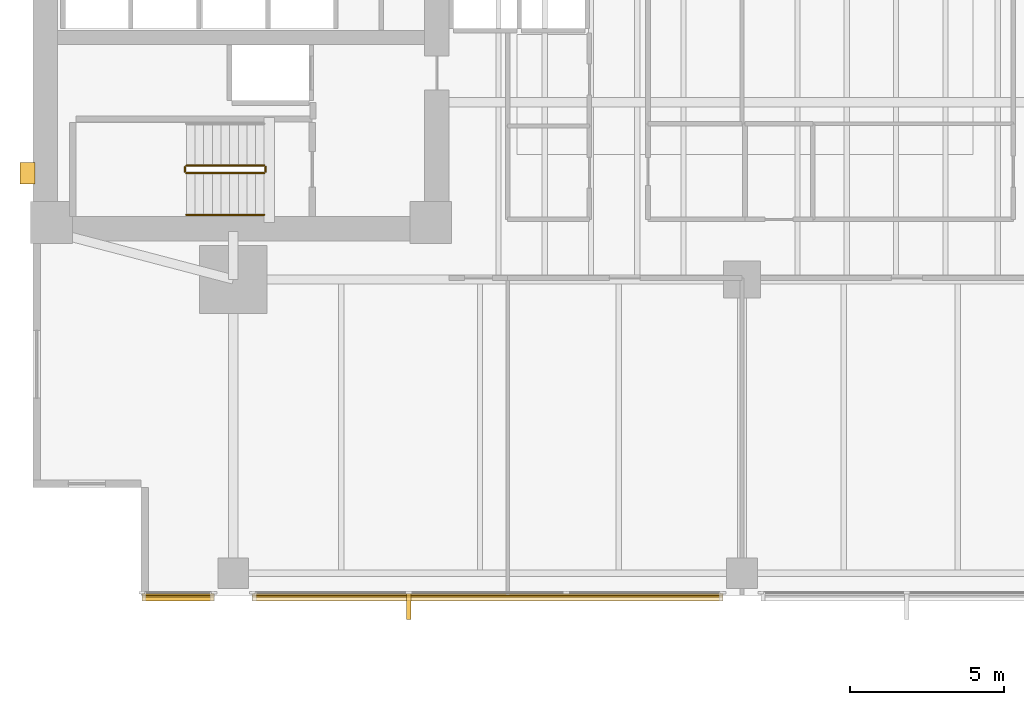
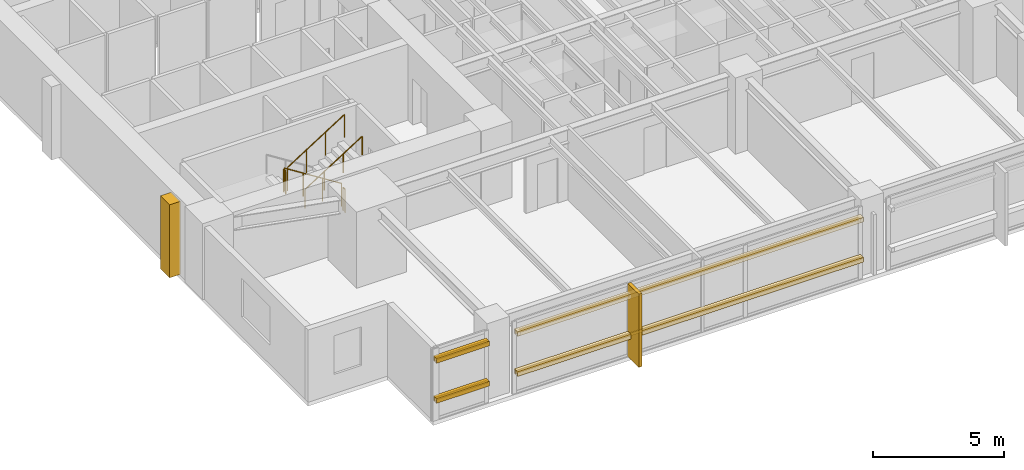
# One storey, part 12 of 15: 6 coverings, 5 railings, 4 shading devices.
"""IFC4 building model written with IfcOpenShell, lengths in metres."""

from ifc_helpers import new_model, si_unit, direction, frame, origin, origin_2d, place, context, subcontext, project, spatial, polyline, rectangle, circle, outline, extrude, material, layer, layer_set, material_profile, profile_set, type_object, element, save


model = new_model("IFC4")

# Units and contexts
model_context = context("Model", 3, precision=1e-05, world=origin(), true_north=direction((0.0, 1.0)))
body_context = subcontext(model_context, "Body", "Model", "MODEL_VIEW")
ifc_project = project(units=[si_unit("LENGTHUNIT", "METRE"), si_unit("AREAUNIT", "SQUARE_METRE"), si_unit("VOLUMEUNIT", "CUBIC_METRE"), si_unit("PLANEANGLEUNIT", "RADIAN"), si_unit("MASSUNIT", "GRAM", prefix="KILO")], contexts=[model_context])

# Site, building, storey
site_placement = place(None, origin())
site = spatial("IfcSite", under=ifc_project, at=site_placement, CompositionType="ELEMENT")
building_placement = place(site_placement, origin())
building = spatial("IfcBuilding", under=site, at=building_placement, Name="Kinhvarn Gate Tower", CompositionType="ELEMENT")
storey_placement = place(building_placement, frame((0.0, 0.0, 29.14990234375)))
storey = spatial("IfcBuildingStorey", under=building, at=storey_placement, Name="L06", CompositionType="ELEMENT", Elevation=29.14990234375)

# Coverings
ifc_material_1 = material(Name="Fired architectural terracotta", Category="masonry")
ifc_layer_1 = layer(ifc_material_1, 0.239990234375)
ifc_layer_set_1 = layer_set([ifc_layer_1], Name="Fired architectural terracotta")
covering_type_1 = type_object("IfcCoveringType", Name="COV-BAG-220", PredefinedType="CLADDING", material=ifc_layer_set_1)
for number, where, name in (
    (1, (0.0, 0.0, 0.940185546875), "Terracotta Horizontal Sunscreen Band TBG-220 (L06)"),
    (2, (0.0, 0.0, 2.81005859375), "Terracotta Horizontal Sunscreen Band TBG-220 (L06)"),
):
    element("IfcCovering", number, at=place(storey_placement, frame(where)), inside=storey, type_object=covering_type_1, Name=name, PredefinedType="CLADDING", context=body_context, shape_type="SweptSolid", body=[
        extrude(outline(polyline([(8.0400390625, 2.56005859375), (10.3798828125, 2.56005859375), (10.3798828125, 2.320068359375), (8.0400390625, 2.320068359375), (8.0400390625, 2.56005859375)])), origin(), (0.0, 0.0, 1.0), 0.219970703125),
    ])
for number, where, name in (
    (3, (0.0, 0.0, 0.940185546875), "Terracotta Horizontal Sunscreen Band TBG-220 (L06)"),
    (4, (0.0, 0.0, 2.81005859375), "Terracotta Horizontal Sunscreen Band TBG-220 (L06)"),
):
    element("IfcCovering", number, at=place(storey_placement, frame(where)), inside=storey, type_object=covering_type_1, Name=name, PredefinedType="CLADDING", context=body_context, shape_type="SweptSolid", body=[
        extrude(outline(polyline([(11.6201171875, 2.56005859375), (26.8798828125, 2.56005859375), (26.8798828125, 2.320068359375), (11.6201171875, 2.320068359375), (11.6201171875, 2.56005859375)])), origin(), (0.0, 0.0, 1.0), 0.219970703125),
    ])
ifc_layer_2 = layer(ifc_material_1, 0.139892578125)
ifc_layer_set_2 = layer_set([ifc_layer_2], Name="Fired architectural terracotta")
covering_type_2 = type_object("IfcCoveringType", Name="COV-FIN-850", PredefinedType="CLADDING", material=ifc_layer_set_2)
covering_1_placement = place(storey_placement, frame((0.0, 0.0, -0.02001953125)))
element("IfcCovering", 5, at=covering_1_placement, inside=storey, type_object=covering_type_2, Name="Vertical Terracotta Expressive Fin TFN-850 (L06)", PredefinedType="CLADDING", context=body_context, shape_type="SweptSolid", body=[
    extrude(outline(polyline([(16.623291015625, 2.570068359375), (16.76318359375, 2.570068359375), (16.76318359375, 1.719970703125), (16.623291015625, 1.719970703125), (16.623291015625, 2.570068359375)])), origin(), (0.0, 0.0, 1.0), 3.41015625),
])
ifc_material_2 = material(Name="Precast white architectural concrete C40/50", Category="concrete")
ifc_layer_3 = layer(ifc_material_2, 0.47998046875)
ifc_layer_set_3 = layer_set([ifc_layer_3], Name="Precast white architectural concrete C40/50")
covering_type_3 = type_object("IfcCoveringType", Name="COV-RIB-450", PredefinedType="CLADDING", material=ifc_layer_set_3)
covering_2_placement = place(storey_placement, frame((0.0, 0.0, -0.02001953125)))
element("IfcCovering", 6, at=covering_2_placement, inside=storey, type_object=covering_type_3, Name="West Core Sculptural Concrete Relief Rib CRB-450 (L06)", PredefinedType="CLADDING", context=body_context, shape_type="SweptSolid", body=[
    extrude(outline(polyline([(4.080078125, 15.85009765625), (4.56005859375, 15.85009765625), (4.56005859375, 16.550048828125), (4.080078125, 16.550048828125), (4.080078125, 15.85009765625)])), origin(), (0.0, 0.0, 1.0), 3.41015625),
])

# Railings
ifc_material_3 = material(Name="Steel S355", Category="steel")
railing_type_1 = type_object("IfcRailingType", Name="RL-ST-GRD", PredefinedType="BALUSTRADE", material=ifc_material_3)
railing_1_placement = place(storey_placement, frame((12.0, 16.449951171875, 0.177490234375)))
element("IfcRailing", 7, at=railing_1_placement, inside=storey, type_object=railing_type_1, Name="L06 ST1 stair guard 1", PredefinedType="BALUSTRADE", context=body_context, shape_type="SweptSolid", body=[
    extrude(circle(Radius=0.02392578125, at=origin_2d()), frame((0.0, 0.0, 1.076171875), z_axis=(-0.84456994832, 0.0, 0.535445237532), x_axis=(0.0, -1.0, 0.0)), (0.0, 0.0, 1.0), 2.98388671875),
    extrude(circle(Radius=0.02099609375, at=origin_2d()), origin(), (0.0, 0.0, 1.0), 1.052001953125),
    extrude(circle(Radius=0.02099609375, at=origin_2d()), frame((-0.840087890625, 0.0, 0.532470703125)), (0.0, 0.0, 1.0), 1.052001953125),
    extrude(circle(Radius=0.02099609375, at=origin_2d()), frame((-1.679931640625, 0.0, 1.065185546875)), (0.0, 0.0, 1.0), 1.052001953125),
    extrude(circle(Radius=0.02099609375, at=origin_2d()), frame((-2.52001953125, 0.0, 1.59765625)), (0.0, 0.0, 1.0), 1.052001953125),
])
railing_2_placement = place(storey_placement, frame((9.429931640625, 16.39990234375, 1.775146484375)))
element("IfcRailing", 8, at=railing_2_placement, inside=storey, type_object=railing_type_1, Name="L06 ST1 stair guard 2", PredefinedType="BALUSTRADE", context=body_context, shape_type="SweptSolid", body=[
    extrude(circle(Radius=0.02392578125, at=origin_2d()), frame((0.0, 0.0, 1.076171875), z_axis=(0.0, -1.0, 0.0), x_axis=(1.0, 0.0, 0.0)), (0.0, 0.0, 1.0), 0.14990234375),
    extrude(circle(Radius=0.02099609375, at=origin_2d()), origin(), (0.0, 0.0, 1.0), 1.052001953125),
    extrude(circle(Radius=0.02099609375, at=origin_2d()), frame((0.0, -0.14990234375, 0.0)), (0.0, 0.0, 1.0), 1.052001953125),
])
railing_3_placement = place(storey_placement, frame((9.47998046875, 16.199951171875, 1.95263671875)))
element("IfcRailing", 9, at=railing_3_placement, inside=storey, type_object=railing_type_1, Name="L06 ST1 stair guard 3", PredefinedType="BALUSTRADE", context=body_context, shape_type="SweptSolid", body=[
    extrude(circle(Radius=0.02392578125, at=origin_2d()), frame((0.0, 0.0, 1.076171875), z_axis=(0.84460694969, 0.0, 0.535386869969), x_axis=(0.0, 1.0, 0.0)), (0.0, 0.0, 1.0), 2.983642578125),
    extrude(circle(Radius=0.02099609375, at=origin_2d()), origin(), (0.0, 0.0, 1.0), 1.052001953125),
    extrude(circle(Radius=0.02099609375, at=origin_2d()), frame((0.840087890625, 0.0, 0.532470703125)), (0.0, 0.0, 1.0), 1.052001953125),
    extrude(circle(Radius=0.02099609375, at=origin_2d()), frame((1.679931640625, 0.0, 1.06494140625)), (0.0, 0.0, 1.0), 1.052001953125),
    extrude(circle(Radius=0.02099609375, at=origin_2d()), frame((2.52001953125, 0.0, 1.597412109375)), (0.0, 0.0, 1.0), 1.052001953125),
])
railing_4_placement = place(storey_placement, frame((12.050048828125, 16.39990234375, 0.0)))
element("IfcRailing", 10, at=railing_4_placement, inside=storey, type_object=railing_type_1, Name="L06 ST1 stair guard 4", PredefinedType="BALUSTRADE", context=body_context, shape_type="SweptSolid", body=[
    extrude(circle(Radius=0.02392578125, at=origin_2d()), frame((0.0, 0.0, 1.076171875), z_axis=(0.0, -1.0, 0.0), x_axis=(1.0, 0.0, 0.0)), (0.0, 0.0, 1.0), 0.14990234375),
    extrude(circle(Radius=0.02099609375, at=origin_2d()), origin(), (0.0, 0.0, 1.0), 1.052001953125),
    extrude(circle(Radius=0.02099609375, at=origin_2d()), frame((0.0, -0.14990234375, 0.0)), (0.0, 0.0, 1.0), 1.052001953125),
])
railing_type_2 = type_object("IfcRailingType", Name="RL-ST-HND", PredefinedType="HANDRAIL", material=ifc_material_3)
railing_5_placement = place(storey_placement, frame((9.47998046875, 14.85009765625, 1.95263671875)))
element("IfcRailing", 11, at=railing_5_placement, inside=storey, type_object=railing_type_2, Name="L06 ST1 stair handrail 2", PredefinedType="HANDRAIL", context=body_context, shape_type="SweptSolid", body=[
    extrude(circle(Radius=0.02392578125, at=origin_2d()), frame((0.0, 0.0, 0.8759765625), z_axis=(0.84460694969, 0.0, 0.535386869969), x_axis=(0.0, 1.0, 0.0)), (0.0, 0.0, 1.0), 2.983642578125),
    extrude(circle(Radius=0.02099609375, at=origin_2d()), origin(), (0.0, 0.0, 1.0), 0.851806640625),
    extrude(circle(Radius=0.02099609375, at=origin_2d()), frame((0.840087890625, 0.0, 0.532470703125)), (0.0, 0.0, 1.0), 0.851806640625),
    extrude(circle(Radius=0.02099609375, at=origin_2d()), frame((1.679931640625, 0.0, 1.06494140625)), (0.0, 0.0, 1.0), 0.851806640625),
    extrude(circle(Radius=0.02099609375, at=origin_2d()), frame((2.52001953125, 0.0, 1.597412109375)), (0.0, 0.0, 1.0), 0.851806640625),
])

# Shading devices
ifc_material_profile = material_profile(ifc_material_1, rectangle(XDim=0.06005859375, YDim=0.139892578125, at=origin_2d()), Name="TC 60x140")
ifc_profile_set = profile_set([ifc_material_profile], Name="Fired architectural terracotta")
shading_device_type = type_object("IfcShadingDeviceType", Name="SHD-BAG-180", PredefinedType="USERDEFINED", material=ifc_profile_set)
for number, where, z_axis, x_axis, name in (
    (12, (8.0400390625, 2.485107421875, 1.050048828125), (1.0, 0.0, 0.0), (0.0, 1.0, 0.0), "Fired Terracotta Baguette Screen Rod 60x140 mm (L06)"),
    (13, (8.0400390625, 2.485107421875, 2.920166015625), (1.0, 0.0, 0.0), (0.0, 1.0, 0.0), "Fired Terracotta Baguette Screen Rod 60x140 mm (L06)"),
):
    element("IfcShadingDevice", number, at=place(storey_placement, frame(where, z_axis=z_axis, x_axis=x_axis)), inside=storey, type_object=shading_device_type, Name=name, ObjectType="BAGUETTE", PredefinedType="USERDEFINED", context=body_context, shape_type="SweptSolid", body=[
        extrude(rectangle(XDim=0.06005859375, YDim=0.139892578125, at=origin_2d()), origin(), (0.0, 0.0, 1.0), 2.33984375),
    ])
for number, where, z_axis, x_axis, name in (
    (14, (11.6201171875, 2.485107421875, 1.050048828125), (1.0, 0.0, 0.0), (0.0, 1.0, 0.0), "Fired Terracotta Baguette Screen Rod 60x140 mm (L06)"),
    (15, (11.6201171875, 2.485107421875, 2.920166015625), (1.0, 0.0, 0.0), (0.0, 1.0, 0.0), "Fired Terracotta Baguette Screen Rod 60x140 mm (L06)"),
):
    element("IfcShadingDevice", number, at=place(storey_placement, frame(where, z_axis=z_axis, x_axis=x_axis)), inside=storey, type_object=shading_device_type, Name=name, ObjectType="BAGUETTE", PredefinedType="USERDEFINED", context=body_context, shape_type="SweptSolid", body=[
        extrude(rectangle(XDim=0.06005859375, YDim=0.139892578125, at=origin_2d()), origin(), (0.0, 0.0, 1.0), 15.259765625),
    ])

save(model, "model.ifc")
